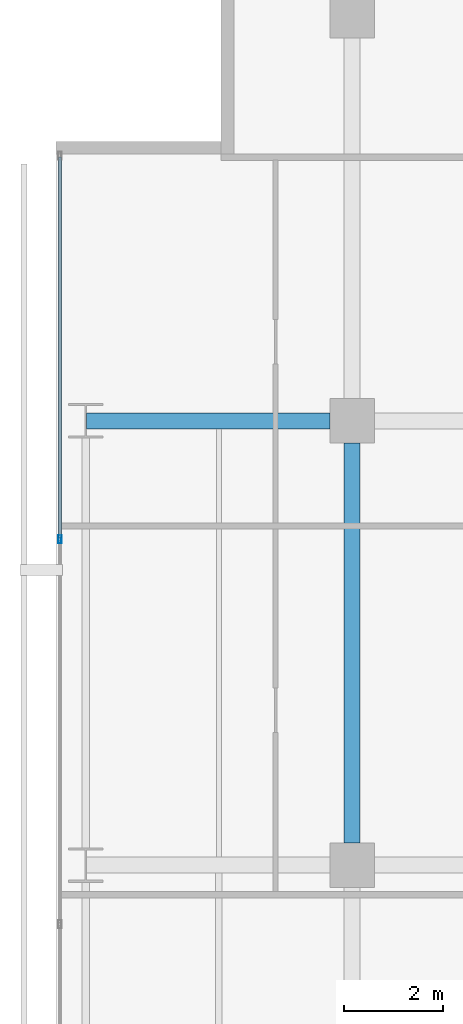
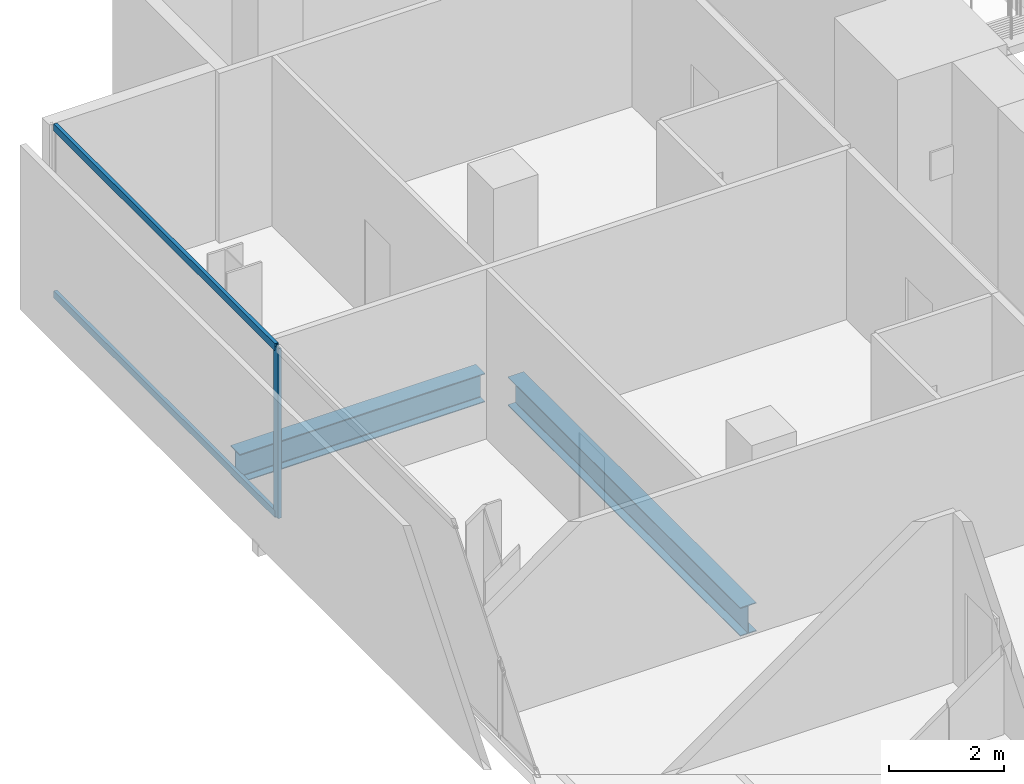
# One storey, part 23 of 40: 3 members, 2 beams, 1 element without a shape of its own.
"""IFC4 building model written with IfcOpenShell, lengths in metres."""

from ifc_helpers import new_model, si_unit, direction, frame, origin, origin_2d, place, context, subcontext, project, spatial, hollow_rectangle, i_section, extrude, material, layer, layer_set, material_profile, profile_set, type_object, element, aggregate, save


model = new_model("IFC4")

# Units and contexts
model_context = context("Model", 3, precision=1e-05, world=origin(), true_north=direction((0.0, 1.0)))
body_context = subcontext(model_context, "Body", "Model", "MODEL_VIEW")
ifc_project = project(units=[si_unit("LENGTHUNIT", "METRE"), si_unit("AREAUNIT", "SQUARE_METRE"), si_unit("VOLUMEUNIT", "CUBIC_METRE"), si_unit("PLANEANGLEUNIT", "RADIAN"), si_unit("MASSUNIT", "GRAM", prefix="KILO")], contexts=[model_context])

# Site, building, storey
site_placement = place(None, origin())
site = spatial("IfcSite", under=ifc_project, at=site_placement, CompositionType="ELEMENT")
building_placement = place(site_placement, origin())
building = spatial("IfcBuilding", under=site, at=building_placement, Name="Maruvema Waterfront Hotel and Observation Tower", CompositionType="ELEMENT")
storey_placement = place(building_placement, frame((0.0, 0.0, 103.949951171875)))
storey = spatial("IfcBuildingStorey", under=building, at=storey_placement, Name="L25", CompositionType="ELEMENT", Elevation=103.949951171875)

# Curtain wall, members
ifc_material_1 = material(Name="Anodised bronze aluminium and solar-control low-E IGU", Category="aluminium")
ifc_layer = layer(ifc_material_1, 0.159912109375, Name="Zone 1 Bronze Inner Thermal Curtain Wall System CW-02")
ifc_layer_set = layer_set([ifc_layer], Name="Anodised bronze aluminium and solar-control low-E IGU")
curtain_wall_type = type_object("IfcCurtainWallType", Name="Zone 1 Bronze Inner Thermal Curtain Wall System CW-02", PredefinedType="USERDEFINED", material=ifc_layer_set)
curtain_wall_placement = place(storey_placement, origin())
curtain_wall = element("IfcCurtainWall", 1, at=curtain_wall_placement, inside=storey, type_object=curtain_wall_type, Name="L25 Curtain Wall CW-L25-W", ObjectType="UNITISED CURTAIN WALL", PredefinedType="USERDEFINED")
ifc_material_2 = material(Name="Anodised architectural bronze aluminium", Category="aluminium")
ifc_material_profile_1 = material_profile(ifc_material_2, hollow_rectangle(XDim=0.070068359375, YDim=0.14990234375, WallThickness=0.00390625, at=origin_2d()), Name="ALU-T70x150")
ifc_profile_set_1 = profile_set([ifc_material_profile_1], Name="Anodised architectural bronze aluminium")
member_type_1 = type_object("IfcMemberType", Name="Curtain Wall Horizontal Transom ALU-T70x150", PredefinedType="USERDEFINED", material=ifc_profile_set_1)
member_1_placement = place(storey_placement, frame((10.8798828125, 50.340087890625, 0.030029296875), z_axis=(0.0, -1.0, 0.0), x_axis=(1.0, 0.0, 0.0)))
member_1 = element("IfcMember", 2, at=member_1_placement, type_object=member_type_1, Name="CW-02 transom 1.1", ObjectType="TRANSOM", PredefinedType="USERDEFINED", context=body_context, shape_type="SweptSolid", body=[
    extrude(hollow_rectangle(XDim=0.070068359375, YDim=0.14990234375, WallThickness=0.00390625, at=origin_2d()), origin(), (0.0, 0.0, 1.0), 7.710205078125),
])
member_2_placement = place(storey_placement, frame((10.8798828125, 50.340087890625, 3.580078125), z_axis=(0.0, -1.0, 0.0), x_axis=(1.0, 0.0, 0.0)))
member_2 = element("IfcMember", 3, at=member_2_placement, type_object=member_type_1, Name="CW-02 transom 1.2", ObjectType="TRANSOM", PredefinedType="USERDEFINED", context=body_context, shape_type="SweptSolid", body=[
    extrude(hollow_rectangle(XDim=0.070068359375, YDim=0.14990234375, WallThickness=0.00390625, at=origin_2d()), origin(), (0.0, 0.0, 1.0), 7.710205078125),
])
ifc_material_3 = material(Name="Anodised architectural bronze aluminium", Category="aluminium")
ifc_material_profile_2 = material_profile(ifc_material_3, hollow_rectangle(XDim=0.06494140625, YDim=0.1650390625, WallThickness=0.00390625, at=origin_2d()), Name="ALU-M65x165")
ifc_profile_set_2 = profile_set([ifc_material_profile_2], Name="Anodised architectural bronze aluminium")
member_type_2 = type_object("IfcMemberType", Name="Curtain Wall Primary Mullion ALU-M65x165", PredefinedType="MULLION", material=ifc_profile_set_2)
member_3_placement = place(storey_placement, frame((10.8798828125, 42.60009765625, 0.0), z_axis=(0.0, 0.0, 1.0), x_axis=(1.0, 0.0, 0.0)))
member_3 = element("IfcMember", 4, at=member_3_placement, type_object=member_type_2, Name="CW-02 mullion 2", PredefinedType="MULLION", context=body_context, shape_type="SweptSolid", body=[
    extrude(hollow_rectangle(XDim=0.06494140625, YDim=0.1650390625, WallThickness=0.00390625, at=origin_2d()), origin(), (0.0, 0.0, 1.0), 3.610107421875),
])
aggregate(curtain_wall, [member_3, member_1, member_2])

# Beams
ifc_material_4 = material(Name="Steel ASTM A572 Grade 50", Category="steel")
ifc_material_profile_3 = material_profile(ifc_material_4, i_section(OverallWidth=0.323974609375, OverallDepth=0.611083984375, WebThickness=0.0126953125, FlangeThickness=0.01904296875, FilletRadius=0.01806640625, at=origin_2d()), Name="W610x155.0")
ifc_profile_set_3 = profile_set([ifc_material_profile_3], Name="Steel ASTM A572 Grade 50")
beam_type = type_object("IfcBeamType", Name="Primary Floor Girder W610x155.0", PredefinedType="BEAM", material=ifc_profile_set_3)
beam_1_placement = place(storey_placement, frame((11.4140625, 45.0, -0.54541015625), z_axis=(1.0, 0.0, 0.0), x_axis=(0.0, 1.0, 0.0)))
element("IfcBeam", 5, at=beam_1_placement, inside=storey, type_object=beam_type, Name="L25 Floor Girder EW-32", PredefinedType="BEAM", context=body_context, shape_type="SweptSolid", body=[
    extrude(i_section(OverallWidth=0.323974609375, OverallDepth=0.611083984375, WebThickness=0.0126953125, FlangeThickness=0.01904296875, FilletRadius=0.01806640625, at=origin_2d()), origin(), (0.0, 0.0, 1.0), 4.93603515625),
])
beam_2_placement = place(storey_placement, frame((16.800048828125, 36.449951171875, -0.54541015625), z_axis=(0.0, 1.0, 0.0), x_axis=(-1.0, 0.0, 0.0)))
element("IfcBeam", 6, at=beam_2_placement, inside=storey, type_object=beam_type, Name="L25 Floor Girder NS-09", PredefinedType="BEAM", context=body_context, shape_type="SweptSolid", body=[
    extrude(i_section(OverallWidth=0.323974609375, OverallDepth=0.611083984375, WebThickness=0.0126953125, FlangeThickness=0.01904296875, FilletRadius=0.01806640625, at=origin_2d()), origin(), (0.0, 0.0, 1.0), 8.10009765625),
])

save(model, "model.ifc")
